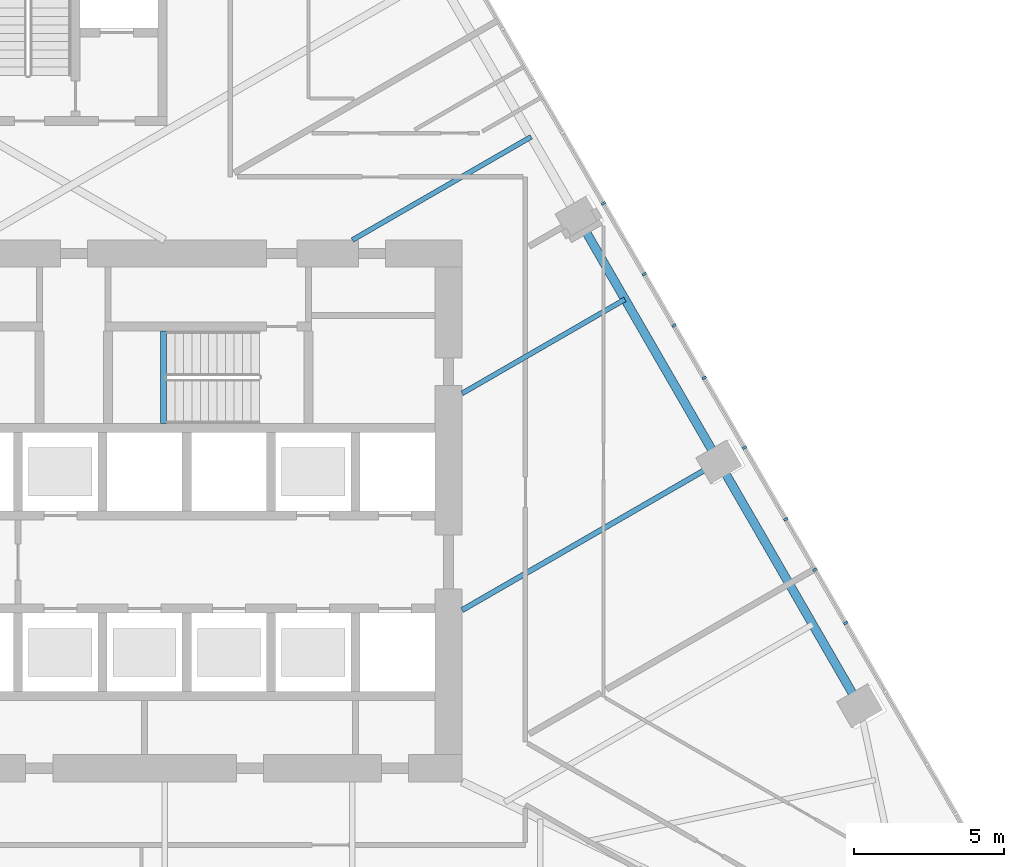
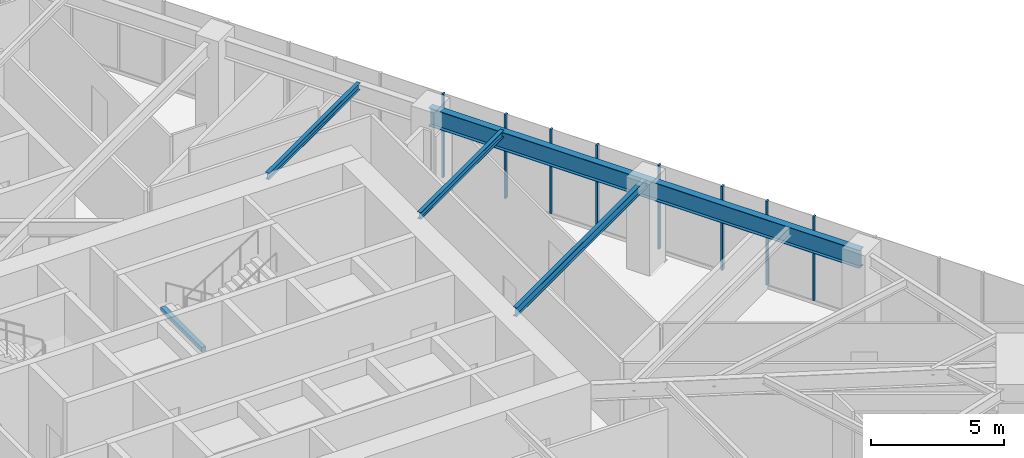
# One storey, part 7 of 19: 8 members, 5 beams, 1 element without a shape of its own.
"""IFC4 building model written with IfcOpenShell, lengths in metres."""

from ifc_helpers import new_model, si_unit, direction, frame, origin, origin_2d, place, context, subcontext, project, spatial, rectangle, i_section, extrude, material, layer, layer_set, material_profile, profile_set, type_object, element, aggregate, save


model = new_model("IFC4")

# Units and contexts
model_context = context("Model", 3, precision=1e-05, world=origin(), true_north=direction((0.0, 1.0)))
body_context = subcontext(model_context, "Body", "Model", "MODEL_VIEW")
ifc_project = project(units=[si_unit("LENGTHUNIT", "METRE"), si_unit("AREAUNIT", "SQUARE_METRE"), si_unit("VOLUMEUNIT", "CUBIC_METRE"), si_unit("PLANEANGLEUNIT", "RADIAN"), si_unit("MASSUNIT", "GRAM", prefix="KILO")], contexts=[model_context])

# Site, building, storey
site_placement = place(None, origin())
site = spatial("IfcSite", under=ifc_project, at=site_placement, CompositionType="ELEMENT")
building_placement = place(site_placement, origin())
building = spatial("IfcBuilding", under=site, at=building_placement, Name="Firuza Gate Tower and Library", CompositionType="ELEMENT")
storey_placement = place(building_placement, frame((0.0, 0.0, 103.0)))
storey = spatial("IfcBuildingStorey", under=building, at=storey_placement, Name="L23", CompositionType="ELEMENT", Elevation=103.0)

# Curtain wall, members
ifc_material_1 = material(Name="Aluminium 6063-T6", Category="aluminium")
ifc_layer = layer(ifc_material_1, 0.14990234375)
ifc_layer_set = layer_set([ifc_layer], Name="Unitised curtain wall, offices")
curtain_wall_type = type_object("IfcCurtainWallType", Name="Unitised curtain wall, offices", PredefinedType="NOTDEFINED", material=ifc_layer_set)
curtain_wall_placement = place(storey_placement, origin())
curtain_wall = element("IfcCurtainWall", 1, at=curtain_wall_placement, inside=storey, type_object=curtain_wall_type, Name="CW1 L23 E face", PredefinedType="NOTDEFINED")
ifc_material_2 = material(Name="Aluminium 6063-T6", Category="aluminium")
ifc_material_profile_1 = material_profile(ifc_material_2, rectangle(XDim=0.14990234375, YDim=0.080078125, at=origin_2d()))
ifc_profile_set_1 = profile_set([ifc_material_profile_1], Name="Aluminium 6063-T6")
member_type = type_object("IfcMemberType", Name="Curtain wall mullion 80x150", PredefinedType="MULLION", material=ifc_profile_set_1)
member_1_placement = place(storey_placement, frame((99.72265625, 73.046630859375, 0.14990234375), z_axis=(0.0, 0.0, 1.0), x_axis=(-0.866025403784, -0.5, 0.0)))
member_1 = element("IfcMember", 2, at=member_1_placement, type_object=member_type, Name="Mullion", PredefinedType="MULLION", context=body_context, shape_type="SweptSolid", body=[
    extrude(rectangle(XDim=0.14990234375, YDim=0.080078125, at=origin_2d()), origin(), (0.0, 0.0, 1.0), 3.85009765625),
])
member_2_placement = place(storey_placement, frame((97.380615234375, 77.103515625, 0.14990234375), z_axis=(0.0, 0.0, 1.0), x_axis=(-0.866025403784, -0.5, 0.0)))
member_2 = element("IfcMember", 3, at=member_2_placement, type_object=member_type, Name="Mullion", PredefinedType="MULLION", context=body_context, shape_type="SweptSolid", body=[
    extrude(rectangle(XDim=0.14990234375, YDim=0.080078125, at=origin_2d()), origin(), (0.0, 0.0, 1.0), 3.85009765625),
])
member_3_placement = place(storey_placement, frame((95.038330078125, 81.16015625, 0.14990234375), z_axis=(0.0, 0.0, 1.0), x_axis=(-0.866025403784, -0.5, 0.0)))
member_3 = element("IfcMember", 4, at=member_3_placement, type_object=member_type, Name="Mullion", PredefinedType="MULLION", context=body_context, shape_type="SweptSolid", body=[
    extrude(rectangle(XDim=0.14990234375, YDim=0.080078125, at=origin_2d()), origin(), (0.0, 0.0, 1.0), 3.85009765625),
])
member_4_placement = place(storey_placement, frame((92.6962890625, 85.217041015625, 0.14990234375), z_axis=(0.0, 0.0, 1.0), x_axis=(-0.866025403784, -0.5, 0.0)))
member_4 = element("IfcMember", 5, at=member_4_placement, type_object=member_type, Name="Mullion", PredefinedType="MULLION", context=body_context, shape_type="SweptSolid", body=[
    extrude(rectangle(XDim=0.14990234375, YDim=0.080078125, at=origin_2d()), origin(), (0.0, 0.0, 1.0), 3.85009765625),
])
member_5_placement = place(storey_placement, frame((100.7431640625, 71.279296875, 0.14990234375), z_axis=(0.0, 0.0, 1.0), x_axis=(-0.866025403784, -0.5, 0.0)))
member_5 = element("IfcMember", 6, at=member_5_placement, type_object=member_type, Name="Mullion", PredefinedType="MULLION", context=body_context, shape_type="SweptSolid", body=[
    extrude(rectangle(XDim=0.14990234375, YDim=0.080078125, at=origin_2d()), origin(), (0.0, 0.0, 1.0), 3.85009765625),
])
member_6_placement = place(storey_placement, frame((98.75439453125, 74.723876953125, 0.14990234375), z_axis=(0.0, 0.0, 1.0), x_axis=(-0.866025403784, -0.5, 0.0)))
member_6 = element("IfcMember", 7, at=member_6_placement, type_object=member_type, Name="Mullion", PredefinedType="MULLION", context=body_context, shape_type="SweptSolid", body=[
    extrude(rectangle(XDim=0.14990234375, YDim=0.080078125, at=origin_2d()), origin(), (0.0, 0.0, 1.0), 3.85009765625),
])
member_7_placement = place(storey_placement, frame((96.04150390625, 79.4228515625, 0.14990234375), z_axis=(0.0, 0.0, 1.0), x_axis=(-0.866025403784, -0.5, 0.0)))
member_7 = element("IfcMember", 8, at=member_7_placement, type_object=member_type, Name="Mullion", PredefinedType="MULLION", context=body_context, shape_type="SweptSolid", body=[
    extrude(rectangle(XDim=0.14990234375, YDim=0.080078125, at=origin_2d()), origin(), (0.0, 0.0, 1.0), 3.85009765625),
])
member_8_placement = place(storey_placement, frame((94.052734375, 82.867431640625, 0.14990234375), z_axis=(0.0, 0.0, 1.0), x_axis=(-0.866025403784, -0.5, 0.0)))
member_8 = element("IfcMember", 9, at=member_8_placement, type_object=member_type, Name="Mullion", PredefinedType="MULLION", context=body_context, shape_type="SweptSolid", body=[
    extrude(rectangle(XDim=0.14990234375, YDim=0.080078125, at=origin_2d()), origin(), (0.0, 0.0, 1.0), 3.85009765625),
])
aggregate(curtain_wall, [member_1, member_2, member_3, member_4, member_5, member_6, member_7, member_8])

# Beams
ifc_material_3 = material(Name="Concrete C35/45", Category="concrete")
ifc_material_profile_2 = material_profile(ifc_material_3, rectangle(XDim=0.199951171875, YDim=0.199951171875, at=origin_2d()))
ifc_profile_set_2 = profile_set([ifc_material_profile_2], Name="Concrete C35/45")
beam_type_1 = type_object("IfcBeamType", Name="Stair landing bearer 200x200", PredefinedType="BEAM", material=ifc_profile_set_2)
beam_1_placement = place(storey_placement, frame((78.080078125, 80.97998046875, 1.800048828125), z_axis=(0.0, -1.0, 0.0), x_axis=(1.0, 0.0, 0.0)))
element("IfcBeam", 10, at=beam_1_placement, inside=storey, type_object=beam_type_1, Name="Landing bearer L23 stair 2", PredefinedType="BEAM", context=body_context, shape_type="SweptSolid", body=[
    extrude(rectangle(XDim=0.199951171875, YDim=0.199951171875, at=origin_2d()), origin(), (0.0, 0.0, 1.0), 3.080078125),
])
ifc_material_4 = material(Name="Steel S355", Category="steel")
ifc_material_profile_3 = material_profile(ifc_material_4, i_section(OverallWidth=0.1650390625, OverallDepth=0.31005859375, WebThickness=0.005859375, FlangeThickness=0.009765625, at=origin_2d()))
ifc_profile_set_3 = profile_set([ifc_material_profile_3], Name="Steel S355")
beam_type_2 = type_object("IfcBeamType", Name="W310x39 Floor beam", PredefinedType="JOIST", material=ifc_profile_set_3)
beam_2_placement = place(storey_placement, frame((93.410888671875, 82.029052734375, 3.844970703125), z_axis=(-0.866022256913, -0.500005450501, 0.0), x_axis=(0.500005450501, -0.866022256913, 0.0)))
element("IfcBeam", 11, at=beam_2_placement, inside=storey, type_object=beam_type_2, Name="Floor beam L23 s52", PredefinedType="JOIST", context=body_context, shape_type="SweptSolid", body=[
    extrude(i_section(OverallWidth=0.1650390625, OverallDepth=0.31005859375, WebThickness=0.005859375, FlangeThickness=0.009765625, at=origin_2d()), origin(), (0.0, 0.0, 1.0), 6.248046875),
])
beam_3_placement = place(storey_placement, frame((90.29296875, 87.4296875, 3.844970703125), z_axis=(-0.866035638285, -0.499982272906, 0.0), x_axis=(0.499982272906, -0.866035638285, 0.0)))
element("IfcBeam", 12, at=beam_3_placement, inside=storey, type_object=beam_type_2, Name="Floor beam L23 s53", PredefinedType="JOIST", context=body_context, shape_type="SweptSolid", body=[
    extrude(i_section(OverallWidth=0.1650390625, OverallDepth=0.31005859375, WebThickness=0.005859375, FlangeThickness=0.009765625, at=origin_2d()), origin(), (0.0, 0.0, 1.0), 6.859619140625),
])
ifc_material_5 = material(Name="Steel S355", Category="steel")
ifc_material_profile_4 = material_profile(ifc_material_5, i_section(OverallWidth=0.177978515625, OverallDepth=0.406982421875, WebThickness=0.0078125, FlangeThickness=0.0126953125, at=origin_2d()))
ifc_profile_set_4 = profile_set([ifc_material_profile_4], Name="Steel S355")
beam_type_3 = type_object("IfcBeamType", Name="W410x60 Floor beam", PredefinedType="JOIST", material=ifc_profile_set_4)
beam_4_placement = place(storey_placement, frame((96.529052734375, 76.62841796875, 3.79638671875), z_axis=(-0.866033257486, -0.499986396743, 0.0), x_axis=(0.499986396743, -0.866033257486, 0.0)))
element("IfcBeam", 13, at=beam_4_placement, inside=storey, type_object=beam_type_3, Name="Floor beam L23 s51", PredefinedType="JOIST", context=body_context, shape_type="SweptSolid", body=[
    extrude(i_section(OverallWidth=0.177978515625, OverallDepth=0.406982421875, WebThickness=0.0078125, FlangeThickness=0.0126953125, at=origin_2d()), origin(), (0.0, 0.0, 1.0), 9.848388671875),
])
ifc_material_6 = material(Name="Steel S355", Category="steel")
ifc_material_profile_5 = material_profile(ifc_material_6, i_section(OverallWidth=0.2919921875, OverallDepth=0.8349609375, WebThickness=0.013916015625, FlangeThickness=0.018798828125, at=origin_2d()))
ifc_profile_set_5 = profile_set([ifc_material_profile_5], Name="Steel S355")
beam_type_4 = type_object("IfcBeamType", Name="W840x176 Edge beam", PredefinedType="SPANDREL", material=ifc_profile_set_5)
beam_5_placement = place(storey_placement, frame((101.2060546875, 68.527587890625, 3.58251953125), z_axis=(-0.50000297619, 0.866023685473, 0.0), x_axis=(-0.866023685473, -0.50000297619, 0.0)))
element("IfcBeam", 14, at=beam_5_placement, inside=storey, type_object=beam_type_4, Name="Edge beam L23 e50", PredefinedType="SPANDREL", context=body_context, shape_type="SweptSolid", body=[
    extrude(i_section(OverallWidth=0.2919921875, OverallDepth=0.8349609375, WebThickness=0.013916015625, FlangeThickness=0.018798828125, at=origin_2d()), origin(), (0.0, 0.0, 1.0), 18.70849609375),
])

save(model, "model.ifc")
